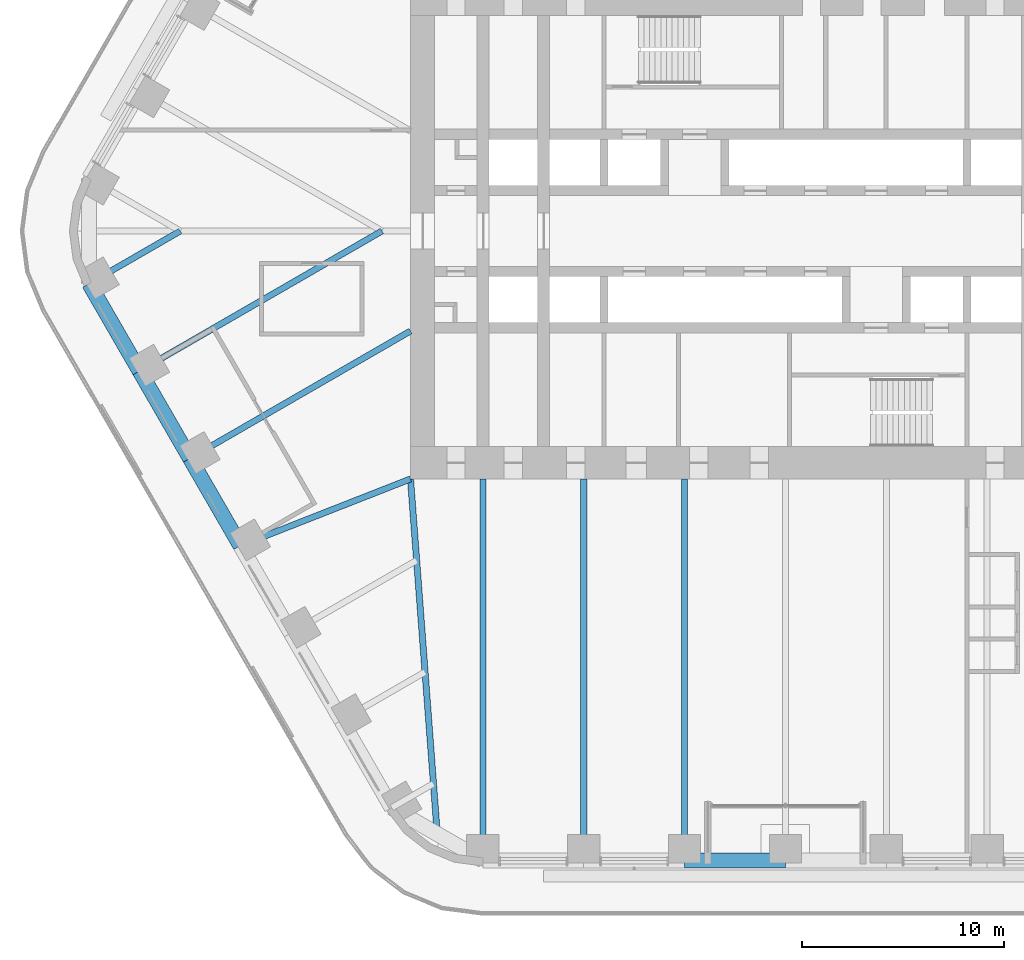
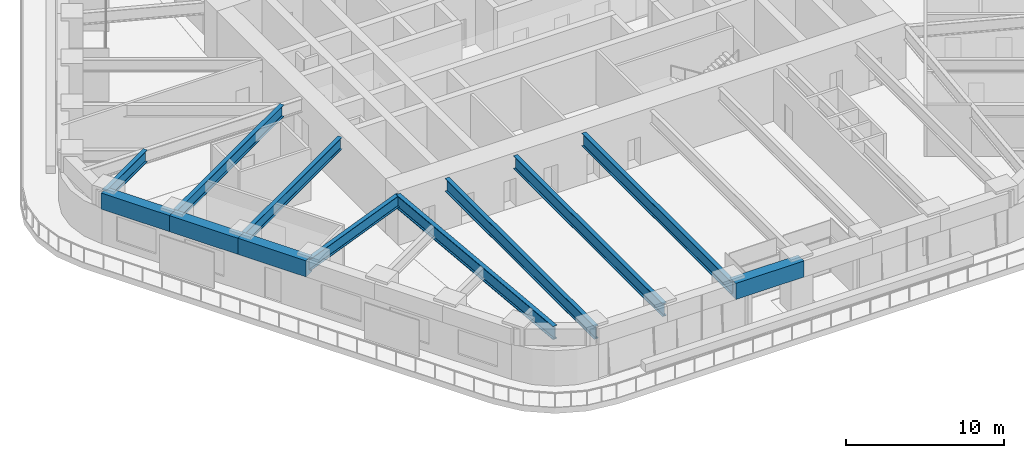
# One storey, part 3 of 24: 12 beams.
"""IFC4 building model written with IfcOpenShell, lengths in metres."""

from ifc_helpers import new_model, si_unit, direction, frame, origin, origin_2d, place, context, subcontext, project, spatial, rectangle, i_section, extrude, material, material_profile, profile_set, type_object, element, save


model = new_model("IFC4")

# Units and contexts
model_context = context("Model", 3, precision=1e-05, world=origin(), true_north=direction((0.0, 1.0)))
body_context = subcontext(model_context, "Body", "Model", "MODEL_VIEW")
ifc_project = project(units=[si_unit("LENGTHUNIT", "METRE"), si_unit("AREAUNIT", "SQUARE_METRE"), si_unit("VOLUMEUNIT", "CUBIC_METRE"), si_unit("PLANEANGLEUNIT", "RADIAN"), si_unit("MASSUNIT", "GRAM", prefix="KILO")], contexts=[model_context])

# Site, building, storey
site_placement = place(None, origin())
site = spatial("IfcSite", under=ifc_project, at=site_placement, CompositionType="ELEMENT")
building_placement = place(site_placement, origin())
building = spatial("IfcBuilding", under=site, at=building_placement, Name="Tarfa Lantern Tower", CompositionType="ELEMENT")
storey_placement = place(building_placement, frame((0.0, 0.0, 161.5)))
storey = spatial("IfcBuildingStorey", under=building, at=storey_placement, Name="L36", CompositionType="ELEMENT", Elevation=161.5)

# Beams
ifc_material_1 = material(Name="Concrete C80/95", Category="concrete")
ifc_material_profile_1 = material_profile(ifc_material_1, rectangle(XDim=0.75, YDim=1.25, at=origin_2d()), Name="RC 750x1250")
ifc_profile_set_1 = profile_set([ifc_material_profile_1], Name="Concrete C80/95")
beam_type_1 = type_object("IfcBeamType", Name="EB2 RC 750x1250", PredefinedType="SPANDREL", material=ifc_profile_set_1)
for number, where, z_axis, x_axis, name in (
    (1, (-34.54296875, -2.610107421875, 3.375), (0.500022324899, -0.866012514114, 0.0), (0.866012514114, 0.500022324899, 0.0), "Edge beam SW0"),
    (2, (-32.041015625, -6.943359375, 3.375), (0.500022324899, -0.866012514114, 0.0), (0.866012514114, 0.500022324899, 0.0), "Edge beam SW1"),
    (3, (-29.5390625, -11.276611328125, 3.375), (0.499964603504, -0.866045838996, 0.0), (0.866045838996, 0.499964603504, 0.0), "Edge beam SW2"),
    (4, (-5.003662109375, -31.219970703125, 3.375), (1.0, 0.0, 0.0), (0.0, 1.0, 0.0), "Edge beam S2"),
):
    element("IfcBeam", number, at=place(storey_placement, frame(where, z_axis=z_axis, x_axis=x_axis)), inside=storey, type_object=beam_type_1, Name=name, PredefinedType="SPANDREL", context=body_context, shape_type="SweptSolid", body=[
        extrude(rectangle(XDim=0.75, YDim=1.25, at=origin_2d()), origin(), (0.0, 0.0, 1.0), 5.003662109375),
    ])
ifc_material_2 = material(Name="Steel S460M", Category="steel")
ifc_material_profile_2 = material_profile(ifc_material_2, i_section(OverallWidth=0.302001953125, OverallDepth=1.008056640625, WebThickness=0.02099609375, FlangeThickness=0.0400390625, FilletRadius=0.030029296875, at=origin_2d()), Name="UB1016x305x349")
ifc_profile_set_2 = profile_set([ifc_material_profile_2], Name="Steel S460M")
beam_type_2 = type_object("IfcBeamType", Name="UB1016x305x349", PredefinedType="BEAM", material=ifc_profile_set_2)
for number, where, z_axis, x_axis, name in (
    (5, (-15.010986328125, -31.219970703125, 3.495849609375), (0.0, 1.0, 0.0), (-1.0, 0.0, 0.0), "Floor beam S0"),
    (6, (-10.00732421875, -31.219970703125, 3.495849609375), (0.0, 1.0, 0.0), (-1.0, 0.0, 0.0), "Floor beam S1"),
    (7, (-5.003662109375, -31.219970703125, 3.495849609375), (0.0, 1.0, 0.0), (-1.0, 0.0, 0.0), "Floor beam S2"),
):
    element("IfcBeam", number, at=place(storey_placement, frame(where, z_axis=z_axis, x_axis=x_axis)), inside=storey, type_object=beam_type_2, Name=name, PredefinedType="BEAM", context=body_context, shape_type="SweptSolid", body=[
        extrude(i_section(OverallWidth=0.302001953125, OverallDepth=1.008056640625, WebThickness=0.02099609375, FlangeThickness=0.0400390625, FilletRadius=0.030029296875, at=origin_2d()), origin(), (0.0, 0.0, 1.0), 18.919921875),
    ])
ifc_material_profile_3 = material_profile(ifc_material_2, i_section(OverallWidth=0.30859375, OverallDepth=1.036376953125, WebThickness=0.030029296875, FlangeThickness=0.05419921875, FilletRadius=0.030029296875, at=origin_2d()), Name="UB1016x305x487")
ifc_profile_set_3 = profile_set([ifc_material_profile_3], Name="Steel S460M")
beam_type_3 = type_object("IfcBeamType", Name="UB1016x305x487", PredefinedType="BEAM", material=ifc_profile_set_3)
beam_1_placement = place(storey_placement, frame((-18.60009765625, -12.300048828125, 3.48193359375), z_axis=(0.075211516041, -0.99716760269, 0.0), x_axis=(0.99716760269, 0.075211516041, 0.0)))
element("IfcBeam", 8, at=beam_1_placement, inside=storey, type_object=beam_type_3, Name="Hip girder SW", PredefinedType="BEAM", context=body_context, shape_type="SweptSolid", body=[
    extrude(i_section(OverallWidth=0.30859375, OverallDepth=1.036376953125, WebThickness=0.030029296875, FlangeThickness=0.05419921875, FilletRadius=0.030029296875, at=origin_2d()), origin(), (0.0, 0.0, 1.0), 17.6650390625),
])
ifc_material_profile_4 = material_profile(ifc_material_2, i_section(OverallWidth=0.305419921875, OverallDepth=0.91845703125, WebThickness=0.017333984375, FlangeThickness=0.02783203125, FilletRadius=0.01904296875, at=origin_2d()), Name="UB914x305x253")
ifc_profile_set_4 = profile_set([ifc_material_profile_4], Name="Steel S460M")
beam_type_4 = type_object("IfcBeamType", Name="UB914x305x253", PredefinedType="BEAM", material=ifc_profile_set_4)
beam_2_placement = place(storey_placement, frame((-34.54296875, -2.610107421875, 3.540771484375), z_axis=(0.866021250859, 0.500007193008, 0.0), x_axis=(-0.500007193008, 0.866021250859, 0.0)))
element("IfcBeam", 9, at=beam_2_placement, inside=storey, type_object=beam_type_4, Name="Floor beam SW0", PredefinedType="BEAM", context=body_context, shape_type="SweptSolid", body=[
    extrude(i_section(OverallWidth=0.305419921875, OverallDepth=0.91845703125, WebThickness=0.017333984375, FlangeThickness=0.02783203125, FilletRadius=0.01904296875, at=origin_2d()), origin(), (0.0, 0.0, 1.0), 5.22021484375),
])
beam_3_placement = place(storey_placement, frame((-32.041015625, -6.943359375, 3.540771484375), z_axis=(0.866023096411, 0.500003996466, 0.0), x_axis=(-0.500003996466, 0.866023096411, 0.0)))
element("IfcBeam", 10, at=beam_3_placement, inside=storey, type_object=beam_type_4, Name="Floor beam SW1", PredefinedType="BEAM", context=body_context, shape_type="SweptSolid", body=[
    extrude(i_section(OverallWidth=0.305419921875, OverallDepth=0.91845703125, WebThickness=0.017333984375, FlangeThickness=0.02783203125, FilletRadius=0.01904296875, at=origin_2d()), origin(), (0.0, 0.0, 1.0), 13.88671875),
])
beam_4_placement = place(storey_placement, frame((-29.5390625, -11.276611328125, 3.540771484375), z_axis=(0.866023362995, 0.500003534735, 0.0), x_axis=(-0.500003534735, 0.866023362995, 0.0)))
element("IfcBeam", 11, at=beam_4_placement, inside=storey, type_object=beam_type_4, Name="Floor beam SW2", PredefinedType="BEAM", context=body_context, shape_type="SweptSolid", body=[
    extrude(i_section(OverallWidth=0.305419921875, OverallDepth=0.91845703125, WebThickness=0.017333984375, FlangeThickness=0.02783203125, FilletRadius=0.01904296875, at=origin_2d()), origin(), (0.0, 0.0, 1.0), 12.63134765625),
])
beam_5_placement = place(storey_placement, frame((-27.037353515625, -15.610107421875, 3.540771484375), z_axis=(0.930923282782, 0.365214788274, 0.0), x_axis=(-0.365214788274, 0.930923282782, 0.0)))
element("IfcBeam", 12, at=beam_5_placement, inside=storey, type_object=beam_type_4, Name="Floor beam SW3", PredefinedType="BEAM", context=body_context, shape_type="SweptSolid", body=[
    extrude(i_section(OverallWidth=0.305419921875, OverallDepth=0.91845703125, WebThickness=0.017333984375, FlangeThickness=0.02783203125, FilletRadius=0.01904296875, at=origin_2d()), origin(), (0.0, 0.0, 1.0), 9.063232421875),
])

save(model, "model.ifc")
